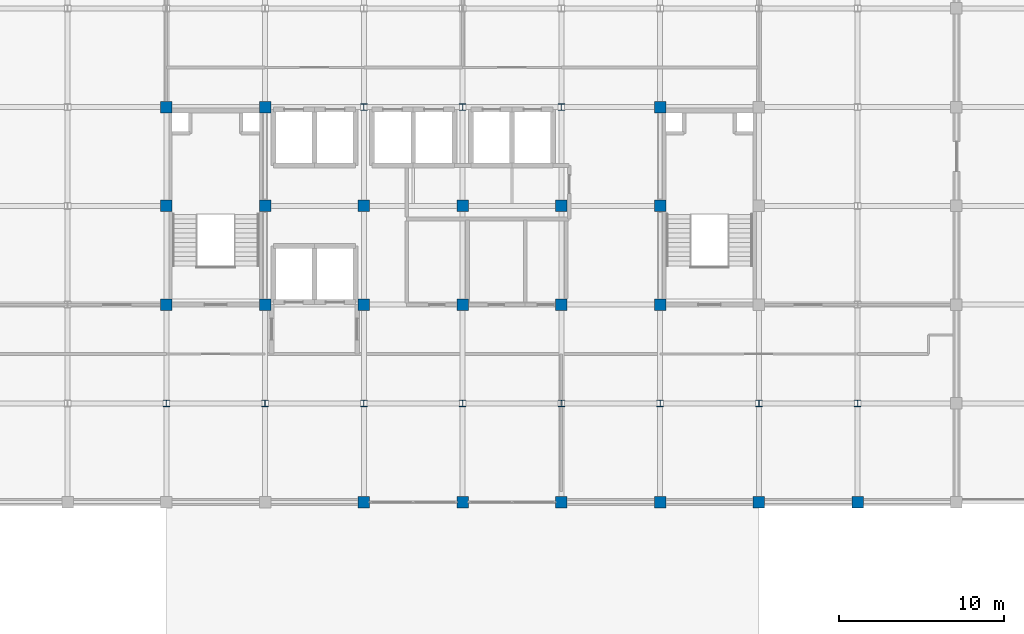
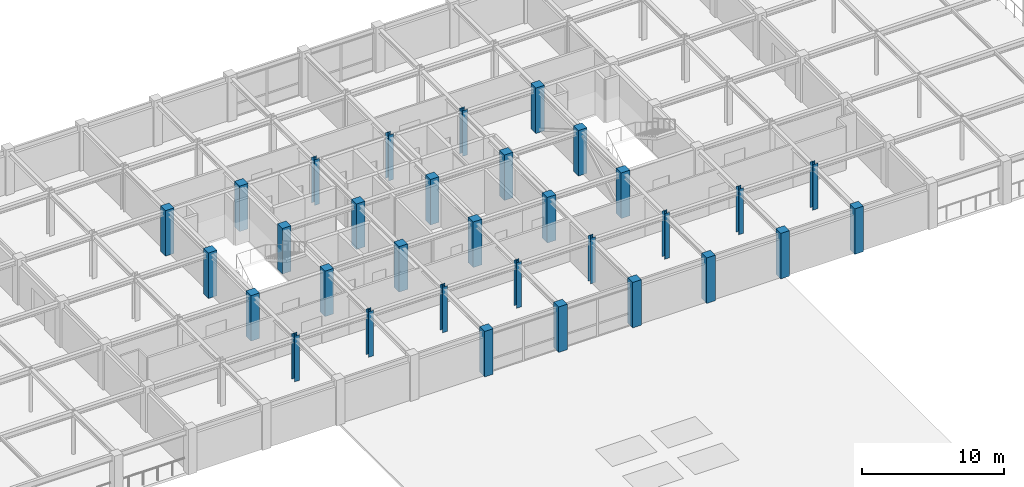
# One storey, part 4 of 25: 32 columns.
"""IFC4 building model written with IfcOpenShell, lengths in metres."""

from ifc_helpers import new_model, si_unit, direction, frame, origin, origin_2d, place, context, subcontext, project, spatial, rectangle, i_section, extrude, material, material_profile, profile_set, type_object, element, save


model = new_model("IFC4")

# Units and contexts
model_context = context("Model", 3, precision=1e-05, world=origin(), true_north=direction((0.0, 1.0)))
body_context = subcontext(model_context, "Body", "Model", "MODEL_VIEW")
ifc_project = project(units=[si_unit("LENGTHUNIT", "METRE"), si_unit("AREAUNIT", "SQUARE_METRE"), si_unit("VOLUMEUNIT", "CUBIC_METRE"), si_unit("PLANEANGLEUNIT", "RADIAN"), si_unit("MASSUNIT", "GRAM", prefix="KILO")], contexts=[model_context])

# Site, building, storey
site_placement = place(None, origin())
site = spatial("IfcSite", under=ifc_project, at=site_placement, CompositionType="ELEMENT")
building_placement = place(site_placement, origin())
building = spatial("IfcBuilding", under=site, at=building_placement, Name="Zlatovratsky Civic Hall", CompositionType="ELEMENT")
storey_placement = place(building_placement, frame((0.0, 0.0, 21.0)))
storey = spatial("IfcBuildingStorey", under=building, at=storey_placement, Name="L05", CompositionType="ELEMENT", Elevation=21.0)

# Columns
ifc_material_1 = material(Name="Concrete C35/45 (B40)", Category="concrete")
ifc_material_profile_1 = material_profile(ifc_material_1, rectangle(XDim=0.699951171875, YDim=0.699951171875, at=origin_2d()), Name="RC 700x700")
ifc_profile_set_1 = profile_set([ifc_material_profile_1], Name="Concrete C35/45 (B40)")
column_type_1 = type_object("IfcColumnType", Name="Col_CorePier_RC700", PredefinedType="COLUMN", material=ifc_profile_set_1)
for number, where, z_axis, x_axis, name in (
    (1, (78.0, 72.0, 0.0), (0.0, 0.0, 1.0), (1.0, 0.0, 0.0), "CL-1919"),
    (2, (84.0, 72.0, 0.0), (0.0, 0.0, 1.0), (1.0, 0.0, 0.0), "CL-1920"),
    (3, (90.0, 72.0, 0.0), (0.0, 0.0, 1.0), (1.0, 0.0, 0.0), "CL-1921"),
    (4, (96.0, 72.0, 0.0), (0.0, 0.0, 1.0), (1.0, 0.0, 0.0), "CL-1922"),
    (5, (102.0, 72.0, 0.0), (0.0, 0.0, 1.0), (1.0, 0.0, 0.0), "CL-1923"),
    (6, (108.0, 72.0, 0.0), (0.0, 0.0, 1.0), (1.0, 0.0, 0.0), "CL-1924"),
    (7, (66.0, 84.0, 0.0), (0.0, 0.0, 1.0), (1.0, 0.0, 0.0), "CL-1947"),
    (8, (72.0, 84.0, 0.0), (0.0, 0.0, 1.0), (1.0, 0.0, 0.0), "CL-1948"),
    (9, (78.0, 84.0, 0.0), (0.0, 0.0, 1.0), (1.0, 0.0, 0.0), "CL-1949"),
    (10, (84.0, 84.0, 0.0), (0.0, 0.0, 1.0), (1.0, 0.0, 0.0), "CL-1950"),
    (11, (90.0, 84.0, 0.0), (0.0, 0.0, 1.0), (1.0, 0.0, 0.0), "CL-1951"),
    (12, (96.0, 84.0, 0.0), (0.0, 0.0, 1.0), (1.0, 0.0, 0.0), "CL-1952"),
    (13, (66.0, 90.0, 0.0), (0.0, 0.0, 1.0), (1.0, 0.0, 0.0), "CL-1962"),
    (14, (72.0, 90.0, 0.0), (0.0, 0.0, 1.0), (1.0, 0.0, 0.0), "CL-1963"),
    (15, (78.0, 90.0, 0.0), (0.0, 0.0, 1.0), (1.0, 0.0, 0.0), "CL-1964"),
    (16, (84.0, 90.0, 0.0), (0.0, 0.0, 1.0), (1.0, 0.0, 0.0), "CL-1965"),
    (17, (90.0, 90.0, 0.0), (0.0, 0.0, 1.0), (1.0, 0.0, 0.0), "CL-1966"),
    (18, (96.0, 90.0, 0.0), (0.0, 0.0, 1.0), (1.0, 0.0, 0.0), "CL-1967"),
    (19, (66.0, 96.0, 0.0), (0.0, 0.0, 1.0), (1.0, 0.0, 0.0), "CL-1977"),
    (20, (72.0, 96.0, 0.0), (0.0, 0.0, 1.0), (1.0, 0.0, 0.0), "CL-1978"),
    (21, (96.0, 96.0, 0.0), (0.0, 0.0, 1.0), (1.0, 0.0, 0.0), "CL-1982"),
):
    element("IfcColumn", number, at=place(storey_placement, frame(where, z_axis=z_axis, x_axis=x_axis)), inside=storey, type_object=column_type_1, Name=name, PredefinedType="COLUMN", context=body_context, shape_type="SweptSolid", body=[
        extrude(rectangle(XDim=0.699951171875, YDim=0.699951171875, at=origin_2d()), origin(), (0.0, 0.0, 1.0), 3.89990234375),
    ])
ifc_material_2 = material(Name="Steel S355", Category="steel")
ifc_material_profile_2 = material_profile(ifc_material_2, i_section(OverallWidth=0.39990234375, OverallDepth=0.39990234375, WebThickness=0.012939453125, FlangeThickness=0.02099609375, FilletRadius=0.02197265625, at=origin_2d()), Name="40K2")
ifc_profile_set_2 = profile_set([ifc_material_profile_2], Name="Steel S355")
column_type_2 = type_object("IfcColumnType", Name="Col_Steel_40K2", PredefinedType="COLUMN", material=ifc_profile_set_2)
for number, where, z_axis, x_axis, name in (
    (22, (66.0, 78.0, 0.0), (0.0, 0.0, 1.0), (1.0, 0.0, 0.0), "CL-1932"),
    (23, (72.0, 78.0, 0.0), (0.0, 0.0, 1.0), (1.0, 0.0, 0.0), "CL-1933"),
    (24, (78.0, 78.0, 0.0), (0.0, 0.0, 1.0), (1.0, 0.0, 0.0), "CL-1934"),
    (25, (84.0, 78.0, 0.0), (0.0, 0.0, 1.0), (1.0, 0.0, 0.0), "CL-1935"),
    (26, (90.0, 78.0, 0.0), (0.0, 0.0, 1.0), (1.0, 0.0, 0.0), "CL-1936"),
    (27, (96.0, 78.0, 0.0), (0.0, 0.0, 1.0), (1.0, 0.0, 0.0), "CL-1937"),
    (28, (102.0, 78.0, 0.0), (0.0, 0.0, 1.0), (1.0, 0.0, 0.0), "CL-1938"),
    (29, (108.0, 78.0, 0.0), (0.0, 0.0, 1.0), (1.0, 0.0, 0.0), "CL-1939"),
    (30, (78.0, 96.0, 0.0), (0.0, 0.0, 1.0), (1.0, 0.0, 0.0), "CL-1979"),
    (31, (84.0, 96.0, 0.0), (0.0, 0.0, 1.0), (1.0, 0.0, 0.0), "CL-1980"),
    (32, (90.0, 96.0, 0.0), (0.0, 0.0, 1.0), (1.0, 0.0, 0.0), "CL-1981"),
):
    element("IfcColumn", number, at=place(storey_placement, frame(where, z_axis=z_axis, x_axis=x_axis)), inside=storey, type_object=column_type_2, Name=name, PredefinedType="COLUMN", context=body_context, shape_type="SweptSolid", body=[
        extrude(i_section(OverallWidth=0.39990234375, OverallDepth=0.39990234375, WebThickness=0.012939453125, FlangeThickness=0.02099609375, FilletRadius=0.02197265625, at=origin_2d()), origin(), (0.0, 0.0, 1.0), 3.89990234375),
    ])

save(model, "model.ifc")
